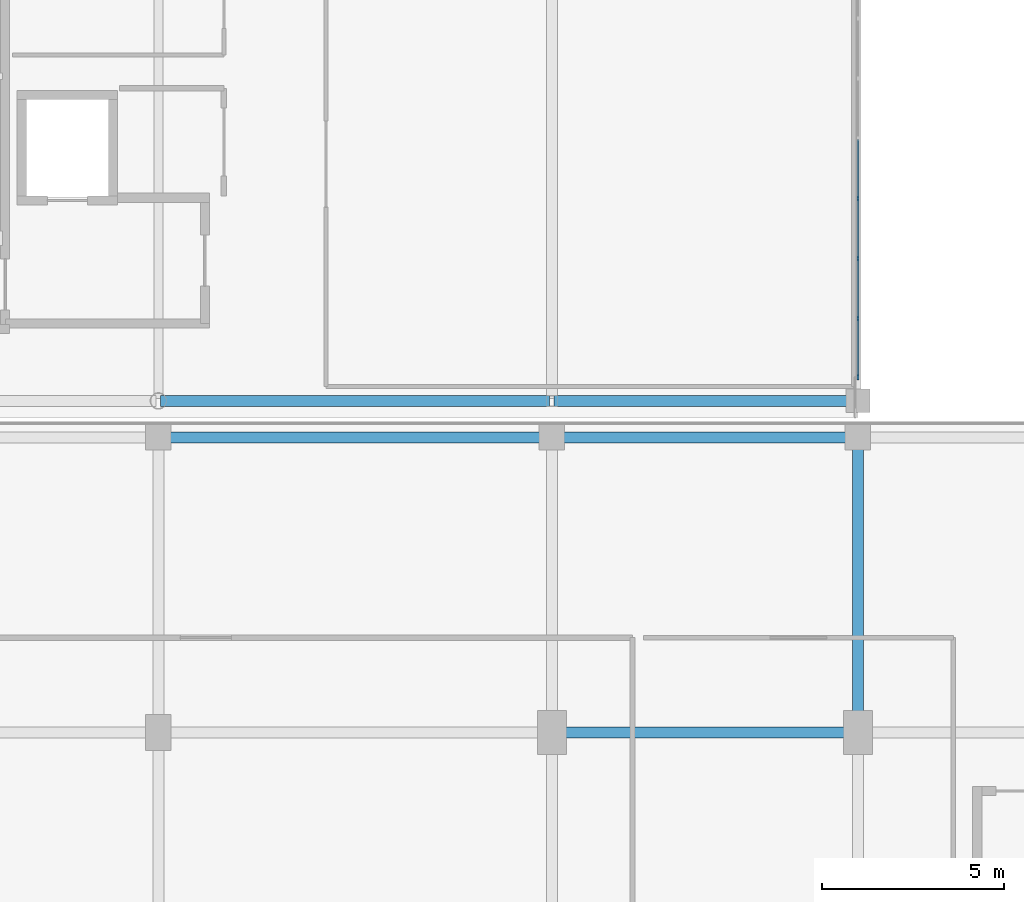
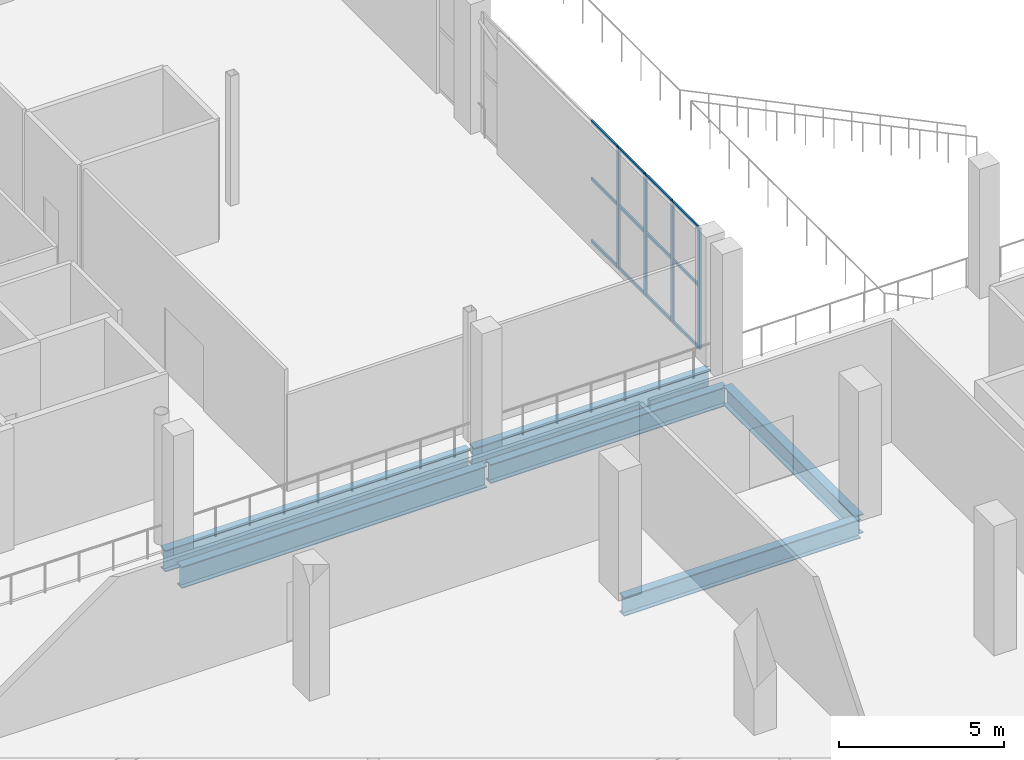
# One storey, part 14 of 104: 16 members, 6 beams, 1 element without a shape of its own.
"""IFC4 building model written with IfcOpenShell, lengths in metres."""

from ifc_helpers import new_model, si_unit, direction, frame, origin, origin_2d, place, context, subcontext, project, spatial, rectangle, i_section, extrude, material, material_profile, profile_set, type_object, element, aggregate, save


model = new_model("IFC4")

# Units and contexts
model_context = context("Model", 3, precision=1e-05, world=origin(), true_north=direction((0.0, 1.0)))
body_context = subcontext(model_context, "Body", "Model", "MODEL_VIEW")
ifc_project = project(units=[si_unit("LENGTHUNIT", "METRE"), si_unit("AREAUNIT", "SQUARE_METRE"), si_unit("VOLUMEUNIT", "CUBIC_METRE"), si_unit("PLANEANGLEUNIT", "RADIAN"), si_unit("MASSUNIT", "GRAM", prefix="KILO")], contexts=[model_context])

# Site, building, storey
site_placement = place(None, origin())
site = spatial("IfcSite", under=ifc_project, at=site_placement, CompositionType="ELEMENT")
building_placement = place(site_placement, origin())
building = spatial("IfcBuilding", under=site, at=building_placement, Name="Koshinbarg Plaza Stadium", CompositionType="ELEMENT")
storey_placement = place(building_placement, frame((0.0, 0.0, 19.800048828125)))
storey = spatial("IfcBuildingStorey", under=building, at=storey_placement, Name="L04", CompositionType="ELEMENT", Elevation=19.800048828125)

# Beams
ifc_material_1 = material(Name="Steel S355", Category="steel")
ifc_material_profile_1 = material_profile(ifc_material_1, i_section(OverallWidth=0.300048828125, OverallDepth=0.699951171875, WebThickness=0.01708984375, FlangeThickness=0.031982421875, at=origin_2d()), Name="HEB 700")
ifc_profile_set_1 = profile_set([ifc_material_profile_1], Name="Steel S355")
beam_type_1 = type_object("IfcBeamType", Name="BM-SGIR-03", PredefinedType="USERDEFINED", material=ifc_profile_set_1)
for number, where, z_axis, x_axis, name in (
    (1, (46.260009765625, 16.39990234375, -0.650146484375), (1.0, 0.0, 0.0), (0.0, 1.0, 0.0), "L04 X girder C/7-8"),
    (2, (46.260009765625, 24.5, -0.650146484375), (1.0, 0.0, 0.0), (0.0, 1.0, 0.0), "L04 X girder D/7-8"),
    (3, (46.260009765625, 25.5, -0.650146484375), (1.0, 0.0, 0.0), (0.0, 1.0, 0.0), "L04 X girder E/7-8"),
):
    element("IfcBeam", number, at=place(storey_placement, frame(where, z_axis=z_axis, x_axis=x_axis)), inside=storey, type_object=beam_type_1, Name=name, ObjectType="GIRDER", PredefinedType="USERDEFINED", context=body_context, shape_type="SweptSolid", body=[
        extrude(i_section(OverallWidth=0.300048828125, OverallDepth=0.699951171875, WebThickness=0.01708984375, FlangeThickness=0.031982421875, at=origin_2d()), origin(), (0.0, 0.0, 1.0), 8.280029296875),
    ])
beam_placement = place(storey_placement, frame((54.60009765625, 16.4599609375, -0.650146484375), z_axis=(0.0, 1.0, 0.0), x_axis=(-1.0, 0.0, 0.0)))
element("IfcBeam", 4, at=beam_placement, inside=storey, type_object=beam_type_1, Name="L04 Y girder 8/C-D", ObjectType="GIRDER", PredefinedType="USERDEFINED", context=body_context, shape_type="SweptSolid", body=[
    extrude(i_section(OverallWidth=0.300048828125, OverallDepth=0.699951171875, WebThickness=0.01708984375, FlangeThickness=0.031982421875, at=origin_2d()), origin(), (0.0, 0.0, 1.0), 7.97998046875),
])
ifc_material_profile_2 = material_profile(ifc_material_1, i_section(OverallWidth=0.300048828125, OverallDepth=0.800048828125, WebThickness=0.017578125, FlangeThickness=0.032958984375, at=origin_2d()), Name="HEB 800")
ifc_profile_set_2 = profile_set([ifc_material_profile_2], Name="Steel S355")
beam_type_2 = type_object("IfcBeamType", Name="BM-SGIR-04", PredefinedType="USERDEFINED", material=ifc_profile_set_2)
for number, where, z_axis, x_axis, name in (
    (5, (35.4599609375, 24.5, -0.699951171875), (1.0, 0.0, 0.0), (0.0, 1.0, 0.0), "L04 X girder D/6-7"),
    (6, (35.4599609375, 25.5, -0.699951171875), (1.0, 0.0, 0.0), (0.0, 1.0, 0.0), "L04 X girder E/6-7"),
):
    element("IfcBeam", number, at=place(storey_placement, frame(where, z_axis=z_axis, x_axis=x_axis)), inside=storey, type_object=beam_type_2, Name=name, ObjectType="GIRDER", PredefinedType="USERDEFINED", context=body_context, shape_type="SweptSolid", body=[
        extrude(i_section(OverallWidth=0.300048828125, OverallDepth=0.800048828125, WebThickness=0.017578125, FlangeThickness=0.032958984375, at=origin_2d()), origin(), (0.0, 0.0, 1.0), 10.679931640625),
    ])

# Curtain wall, members
ifc_material_2 = material(Name="Thermally broken anodised aluminium and low-E double glazing", Category="aluminium")
curtain_wall_type = type_object("IfcCurtainWallType", Name="CW-SYS-09", PredefinedType="NOTDEFINED", material=ifc_material_2)
curtain_wall_placement = place(storey_placement, origin())
curtain_wall = element("IfcCurtainWall", 7, at=curtain_wall_placement, inside=storey, type_object=curtain_wall_type, Name="L04 unitised curtain wall CW-L04-120", PredefinedType="NOTDEFINED")
ifc_material_3 = material(Name="Anodised aluminium mullion", Category="aluminium")
ifc_material_profile_3 = material_profile(ifc_material_3, rectangle(XDim=0.06005859375, YDim=0.139892578125, at=origin_2d()), Name="ALU 60x140")
ifc_profile_set_3 = profile_set([ifc_material_profile_3], Name="Anodised aluminium mullion")
member_type_1 = type_object("IfcMemberType", Name="CW-MUL-01", PredefinedType="MULLION", material=ifc_profile_set_3)
member_1_placement = place(storey_placement, frame((54.60009765625, 31.054931640625, 0.0), z_axis=(0.0, 0.0, 1.0), x_axis=(1.0, 0.0, 0.0)))
member_1 = element("IfcMember", 8, at=member_1_placement, type_object=member_type_1, Name="CW09 mullion 6", PredefinedType="MULLION", context=body_context, shape_type="SweptSolid", body=[
    extrude(rectangle(XDim=0.06005859375, YDim=0.139892578125, at=origin_2d()), origin(), (0.0, 0.0, 1.0), 4.47998046875),
])
member_2_placement = place(storey_placement, frame((54.60009765625, 29.409912109375, 0.0), z_axis=(0.0, 0.0, 1.0), x_axis=(1.0, 0.0, 0.0)))
member_2 = element("IfcMember", 9, at=member_2_placement, type_object=member_type_1, Name="CW09 mullion 7", PredefinedType="MULLION", context=body_context, shape_type="SweptSolid", body=[
    extrude(rectangle(XDim=0.06005859375, YDim=0.139892578125, at=origin_2d()), origin(), (0.0, 0.0, 1.0), 4.47998046875),
])
member_3_placement = place(storey_placement, frame((54.60009765625, 27.764892578125, 0.0), z_axis=(0.0, 0.0, 1.0), x_axis=(1.0, 0.0, 0.0)))
member_3 = element("IfcMember", 10, at=member_3_placement, type_object=member_type_1, Name="CW09 mullion 8", PredefinedType="MULLION", context=body_context, shape_type="SweptSolid", body=[
    extrude(rectangle(XDim=0.06005859375, YDim=0.139892578125, at=origin_2d()), origin(), (0.0, 0.0, 1.0), 4.47998046875),
])
member_4_placement = place(storey_placement, frame((54.60009765625, 26.14990234375, 0.0), z_axis=(0.0, 0.0, 1.0), x_axis=(1.0, 0.0, 0.0)))
member_4 = element("IfcMember", 11, at=member_4_placement, type_object=member_type_1, Name="CW09 mullion 9", PredefinedType="MULLION", context=body_context, shape_type="SweptSolid", body=[
    extrude(rectangle(XDim=0.06005859375, YDim=0.139892578125, at=origin_2d()), origin(), (0.0, 0.0, 1.0), 4.47998046875),
])
ifc_material_4 = material(Name="Anodised aluminium transom", Category="aluminium")
ifc_material_profile_4 = material_profile(ifc_material_4, rectangle(XDim=0.06005859375, YDim=0.110107421875, at=origin_2d()), Name="ALU 60x110")
ifc_profile_set_4 = profile_set([ifc_material_profile_4], Name="Anodised aluminium transom")
member_type_2 = type_object("IfcMemberType", Name="CW-TRN-01", PredefinedType="USERDEFINED", material=ifc_profile_set_4)
member_5_placement = place(storey_placement, frame((54.60009765625, 32.669921875, 0.030029296875), z_axis=(0.0, -1.0, 0.0), x_axis=(1.0, 0.0, 0.0)))
member_5 = element("IfcMember", 12, at=member_5_placement, type_object=member_type_2, Name="CW09 transom 5.1", ObjectType="TRANSOM", PredefinedType="USERDEFINED", context=body_context, shape_type="SweptSolid", body=[
    extrude(rectangle(XDim=0.06005859375, YDim=0.110107421875, at=origin_2d()), origin(), (0.0, 0.0, 1.0), 1.5849609375),
])
member_6_placement = place(storey_placement, frame((54.60009765625, 32.669921875, 2.32958984375), z_axis=(0.0, -1.0, 0.0), x_axis=(1.0, 0.0, 0.0)))
member_6 = element("IfcMember", 13, at=member_6_placement, type_object=member_type_2, Name="CW09 transom 5.2", ObjectType="TRANSOM", PredefinedType="USERDEFINED", context=body_context, shape_type="SweptSolid", body=[
    extrude(rectangle(XDim=0.06005859375, YDim=0.110107421875, at=origin_2d()), origin(), (0.0, 0.0, 1.0), 1.5849609375),
])
member_7_placement = place(storey_placement, frame((54.60009765625, 32.669921875, 4.449951171875), z_axis=(0.0, -1.0, 0.0), x_axis=(1.0, 0.0, 0.0)))
member_7 = element("IfcMember", 14, at=member_7_placement, type_object=member_type_2, Name="CW09 transom 5.3", ObjectType="TRANSOM", PredefinedType="USERDEFINED", context=body_context, shape_type="SweptSolid", body=[
    extrude(rectangle(XDim=0.06005859375, YDim=0.110107421875, at=origin_2d()), origin(), (0.0, 0.0, 1.0), 1.5849609375),
])
member_8_placement = place(storey_placement, frame((54.60009765625, 31.02490234375, 0.030029296875), z_axis=(0.0, -1.0, 0.0), x_axis=(1.0, 0.0, 0.0)))
member_8 = element("IfcMember", 15, at=member_8_placement, type_object=member_type_2, Name="CW09 transom 6.1", ObjectType="TRANSOM", PredefinedType="USERDEFINED", context=body_context, shape_type="SweptSolid", body=[
    extrude(rectangle(XDim=0.06005859375, YDim=0.110107421875, at=origin_2d()), origin(), (0.0, 0.0, 1.0), 1.5849609375),
])
member_9_placement = place(storey_placement, frame((54.60009765625, 31.02490234375, 2.32958984375), z_axis=(0.0, -1.0, 0.0), x_axis=(1.0, 0.0, 0.0)))
member_9 = element("IfcMember", 16, at=member_9_placement, type_object=member_type_2, Name="CW09 transom 6.2", ObjectType="TRANSOM", PredefinedType="USERDEFINED", context=body_context, shape_type="SweptSolid", body=[
    extrude(rectangle(XDim=0.06005859375, YDim=0.110107421875, at=origin_2d()), origin(), (0.0, 0.0, 1.0), 1.5849609375),
])
member_10_placement = place(storey_placement, frame((54.60009765625, 31.02490234375, 4.449951171875), z_axis=(0.0, -1.0, 0.0), x_axis=(1.0, 0.0, 0.0)))
member_10 = element("IfcMember", 17, at=member_10_placement, type_object=member_type_2, Name="CW09 transom 6.3", ObjectType="TRANSOM", PredefinedType="USERDEFINED", context=body_context, shape_type="SweptSolid", body=[
    extrude(rectangle(XDim=0.06005859375, YDim=0.110107421875, at=origin_2d()), origin(), (0.0, 0.0, 1.0), 1.5849609375),
])
member_11_placement = place(storey_placement, frame((54.60009765625, 29.3798828125, 0.030029296875), z_axis=(0.0, -1.0, 0.0), x_axis=(1.0, 0.0, 0.0)))
member_11 = element("IfcMember", 18, at=member_11_placement, type_object=member_type_2, Name="CW09 transom 7.1", ObjectType="TRANSOM", PredefinedType="USERDEFINED", context=body_context, shape_type="SweptSolid", body=[
    extrude(rectangle(XDim=0.06005859375, YDim=0.110107421875, at=origin_2d()), origin(), (0.0, 0.0, 1.0), 1.5849609375),
])
member_12_placement = place(storey_placement, frame((54.60009765625, 29.3798828125, 2.32958984375), z_axis=(0.0, -1.0, 0.0), x_axis=(1.0, 0.0, 0.0)))
member_12 = element("IfcMember", 19, at=member_12_placement, type_object=member_type_2, Name="CW09 transom 7.2", ObjectType="TRANSOM", PredefinedType="USERDEFINED", context=body_context, shape_type="SweptSolid", body=[
    extrude(rectangle(XDim=0.06005859375, YDim=0.110107421875, at=origin_2d()), origin(), (0.0, 0.0, 1.0), 1.5849609375),
])
member_13_placement = place(storey_placement, frame((54.60009765625, 29.3798828125, 4.449951171875), z_axis=(0.0, -1.0, 0.0), x_axis=(1.0, 0.0, 0.0)))
member_13 = element("IfcMember", 20, at=member_13_placement, type_object=member_type_2, Name="CW09 transom 7.3", ObjectType="TRANSOM", PredefinedType="USERDEFINED", context=body_context, shape_type="SweptSolid", body=[
    extrude(rectangle(XDim=0.06005859375, YDim=0.110107421875, at=origin_2d()), origin(), (0.0, 0.0, 1.0), 1.5849609375),
])
member_14_placement = place(storey_placement, frame((54.60009765625, 27.735107421875, 0.030029296875), z_axis=(0.0, -1.0, 0.0), x_axis=(1.0, 0.0, 0.0)))
member_14 = element("IfcMember", 21, at=member_14_placement, type_object=member_type_2, Name="CW09 transom 8.1", ObjectType="TRANSOM", PredefinedType="USERDEFINED", context=body_context, shape_type="SweptSolid", body=[
    extrude(rectangle(XDim=0.06005859375, YDim=0.110107421875, at=origin_2d()), origin(), (0.0, 0.0, 1.0), 1.55517578125),
])
member_15_placement = place(storey_placement, frame((54.60009765625, 27.735107421875, 2.32958984375), z_axis=(0.0, -1.0, 0.0), x_axis=(1.0, 0.0, 0.0)))
member_15 = element("IfcMember", 22, at=member_15_placement, type_object=member_type_2, Name="CW09 transom 8.2", ObjectType="TRANSOM", PredefinedType="USERDEFINED", context=body_context, shape_type="SweptSolid", body=[
    extrude(rectangle(XDim=0.06005859375, YDim=0.110107421875, at=origin_2d()), origin(), (0.0, 0.0, 1.0), 1.55517578125),
])
member_16_placement = place(storey_placement, frame((54.60009765625, 27.735107421875, 4.449951171875), z_axis=(0.0, -1.0, 0.0), x_axis=(1.0, 0.0, 0.0)))
member_16 = element("IfcMember", 23, at=member_16_placement, type_object=member_type_2, Name="CW09 transom 8.3", ObjectType="TRANSOM", PredefinedType="USERDEFINED", context=body_context, shape_type="SweptSolid", body=[
    extrude(rectangle(XDim=0.06005859375, YDim=0.110107421875, at=origin_2d()), origin(), (0.0, 0.0, 1.0), 1.55517578125),
])
aggregate(curtain_wall, [member_1, member_2, member_3, member_4, member_5, member_6, member_7, member_8, member_9, member_10, member_11, member_12, member_13, member_14, member_15, member_16])

save(model, "model.ifc")
